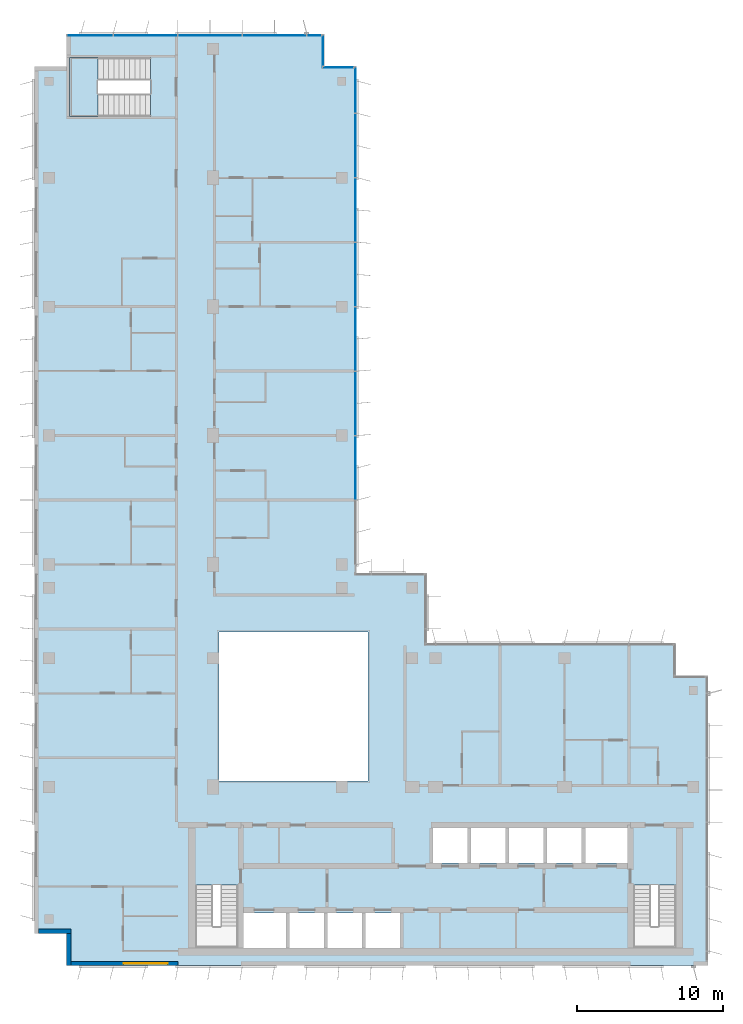
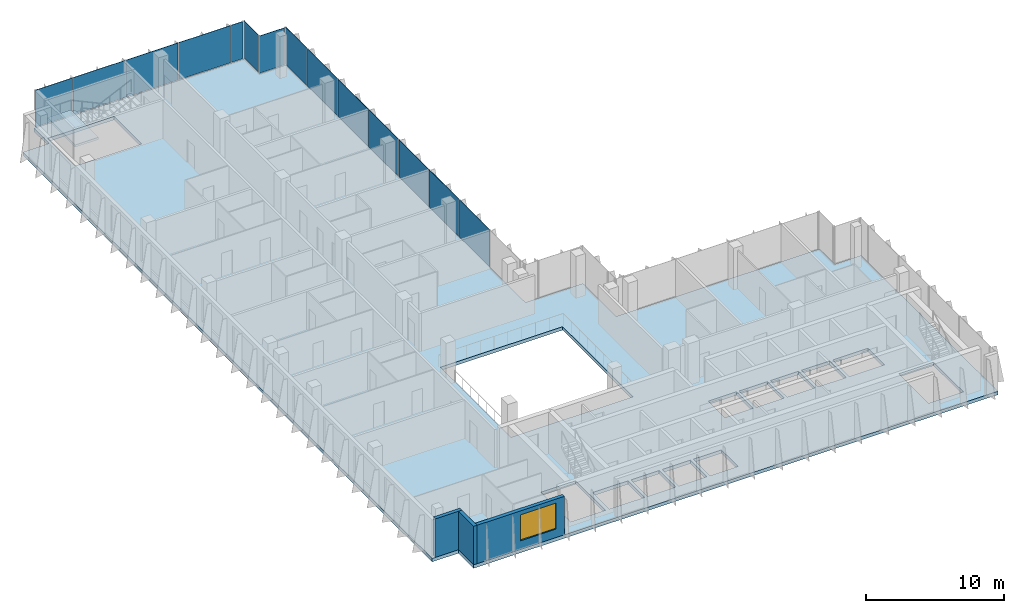
# One storey, part 8 of 16: 14 plates, 3 walls, 2 slabs, 1 window, 1 opening, 5 elements without a shape of their own.
"""IFC4 building model written with IfcOpenShell, lengths in metres."""

from ifc_helpers import new_model, si_unit, direction, frame, frame_2d, origin, origin_2d, place, context, subcontext, project, spatial, polyline, rectangle, outline, extrude, source, transform, mapped, material, layer, layer_set, type_object, element, fill, aggregate, save


model = new_model("IFC4")

# Units and contexts
model_context = context("Model", 3, precision=1e-05, world=origin(), true_north=direction((0.0, 1.0)))
body_context = subcontext(model_context, "Body", "Model", "MODEL_VIEW")
ifc_project = project(units=[si_unit("LENGTHUNIT", "METRE"), si_unit("AREAUNIT", "SQUARE_METRE"), si_unit("VOLUMEUNIT", "CUBIC_METRE"), si_unit("PLANEANGLEUNIT", "RADIAN"), si_unit("MASSUNIT", "GRAM", prefix="KILO")], contexts=[model_context])

# Site, building, storey
site_placement = place(None, origin())
site = spatial("IfcSite", under=ifc_project, at=site_placement, CompositionType="ELEMENT")
building_placement = place(site_placement, origin())
building = spatial("IfcBuilding", under=site, at=building_placement, Name="Kemantara Hotel Tower", CompositionType="ELEMENT")
storey_placement = place(building_placement, frame((0.0, 0.0, 287.0)))
storey = spatial("IfcBuildingStorey", under=building, at=storey_placement, Name="L72", CompositionType="ELEMENT", Elevation=287.0)

# Slab
ifc_material_1 = material(Name="Concrete fc 40 MPa", Category="concrete")
ifc_layer_1 = layer(ifc_material_1, 0.300048828125)
ifc_layer_set_1 = layer_set([ifc_layer_1], Name="Concrete fc 40 MPa")
slab_type_1 = type_object("IfcSlabType", Name="POST-TENSIONED FLAT PLATE 300", PredefinedType="FLOOR", material=ifc_layer_set_1)
slab_1_placement = place(storey_placement, frame((0.0, 0.0, -0.300048828125)))
element("IfcSlab", 1, at=slab_1_placement, inside=storey, type_object=slab_type_1, Name="FLOOR SLAB L72", PredefinedType="FLOOR", context=body_context, shape_type="SweptSolid", body=[
    extrude(outline(polyline([(22.0, 26.800048828125), (22.0, 61.39990234375), (19.800048828125, 61.39990234375), (19.800048828125, 63.60009765625), (2.199951171875, 63.60009765625), (2.199951171875, 61.39990234375), (0.0, 61.39990234375), (0.0, 2.199951171875), (2.199951171875, 2.199951171875), (2.199951171875, 0.0), (46.0, 0.0), (46.0, 19.800048828125), (43.800048828125, 19.800048828125), (43.800048828125, 22.0), (26.800048828125, 22.0), (26.800048828125, 26.800048828125), (22.0, 26.800048828125)]), holes=[polyline([(17.175048828125, 3.60009765625), (17.175048828125, 1.199951171875), (14.22509765625, 1.199951171875), (14.22509765625, 3.60009765625), (17.175048828125, 3.60009765625)]), polyline([(19.77490234375, 1.199951171875), (17.425048828125, 1.199951171875), (17.425048828125, 3.60009765625), (19.77490234375, 3.60009765625), (19.77490234375, 1.199951171875)]), polyline([(22.375, 1.199951171875), (20.02490234375, 1.199951171875), (20.02490234375, 3.60009765625), (22.375, 3.60009765625), (22.375, 1.199951171875)]), polyline([(24.97509765625, 3.60009765625), (24.97509765625, 1.199951171875), (22.625, 1.199951171875), (22.625, 3.60009765625), (24.97509765625, 3.60009765625)]), polyline([(11.0, 1.199951171875), (11.0, 5.49951171875), (13.89990234375, 5.49951171875), (13.89990234375, 1.199951171875), (11.0, 1.199951171875)]), polyline([(22.800048828125, 12.60009765625), (12.60009765625, 12.60009765625), (12.60009765625, 22.800048828125), (22.800048828125, 22.800048828125), (22.800048828125, 12.60009765625)]), polyline([(2.39990234375, 58.0), (2.39990234375, 62.0), (7.949462890625, 62.0), (7.949462890625, 58.0), (2.39990234375, 58.0)]), polyline([(40.89990234375, 1.199951171875), (40.89990234375, 5.49951171875), (43.800048828125, 5.49951171875), (43.800048828125, 1.199951171875), (40.89990234375, 1.199951171875)]), polyline([(29.574951171875, 7.0), (27.22509765625, 7.0), (27.22509765625, 9.39990234375), (29.574951171875, 9.39990234375), (29.574951171875, 7.0)]), polyline([(32.175048828125, 7.0), (29.824951171875, 7.0), (29.824951171875, 9.39990234375), (32.175048828125, 9.39990234375), (32.175048828125, 7.0)]), polyline([(34.77490234375, 7.0), (32.425048828125, 7.0), (32.425048828125, 9.39990234375), (34.77490234375, 9.39990234375), (34.77490234375, 7.0)]), polyline([(37.375, 7.0), (35.02490234375, 7.0), (35.02490234375, 9.39990234375), (37.375, 9.39990234375), (37.375, 7.0)]), polyline([(40.574951171875, 7.0), (37.625, 7.0), (37.625, 9.39990234375), (40.574951171875, 9.39990234375), (40.574951171875, 7.0)])]), origin(), (0.0, 0.0, 1.0), 0.300048828125),
])

# Stair, slab
stair_type = type_object("IfcStairType", Name="Stair 1550 wide 22 risers of 168 x 360 mm", PredefinedType="HALF_TURN_STAIR", material=ifc_material_1)
stair_placement = place(storey_placement, origin())
stair = element("IfcStair", 2, at=stair_placement, inside=storey, type_object=stair_type, Name="L72 Exit stair ST4", PredefinedType="HALF_TURN_STAIR")
ifc_layer_2 = layer(ifc_material_1, 0.199951171875)
ifc_layer_set_2 = layer_set([ifc_layer_2], Name="Concrete fc 40 MPa")
slab_type_2 = type_object("IfcSlabType", Name="Stair landing 200 mm", PredefinedType="LANDING", material=ifc_layer_set_2)
slab_2_placement = place(storey_placement, frame((0.0, 0.0, 1.64990234375)))
slab_2 = element("IfcSlab", 3, at=slab_2_placement, type_object=slab_type_2, Name="ST4 landing 1", PredefinedType="LANDING", context=body_context, shape_type="SweptSolid", body=[
    extrude(outline(polyline([(4.35009765625, 62.0), (2.39990234375, 62.0), (2.39990234375, 58.0), (4.35009765625, 58.0), (4.35009765625, 62.0)])), origin(), (0.0, 0.0, 1.0), 0.2001953125),
])
aggregate(stair, [slab_2])

# Curtain wall, plates
ifc_material_2 = material(Name="Low-E tinted double insulated glass 36 mm", Category="glass")
curtain_wall_type = type_object("IfcCurtainWallType", Name="TOWER CURTAIN WALL, FRONT FACES", PredefinedType="USERDEFINED", material=ifc_material_2)
curtain_wall_1_placement = place(storey_placement, origin())
curtain_wall_1 = element("IfcCurtainWall", 4, at=curtain_wall_1_placement, inside=storey, type_object=curtain_wall_type, Name="CW4 L72 T4-R02-1", ObjectType="TOWER CURTAIN WALL, FRONT FACES", PredefinedType="USERDEFINED")
ifc_layer_3 = layer(ifc_material_2, 0.035888671875)
ifc_layer_set_3 = layer_set([ifc_layer_3], Name="Low-E tinted double insulated glass 36 mm")
plate_type = type_object("IfcPlateType", Name="TOWER CURTAIN WALL, FRONT FACES PANEL", PredefinedType="CURTAIN_PANEL", material=ifc_layer_set_3)
shared_shape_1 = source(origin(), body_context, "Body", "SweptSolid", [
    extrude(rectangle(XDim=4.340087890625, YDim=0.035888671875, at=origin_2d()), origin(), (0.0, 0.0, 1.0), 3.280029296875),
])
plate_1_placement = place(storey_placement, frame((16.39990234375, 63.52490234375, 0.1201171875), z_axis=(0.0, 0.0, 1.0), x_axis=(-1.0, 0.0, 0.0)))
plate_1 = element("IfcPlate", 5, at=plate_1_placement, type_object=plate_type, Name="CW4 glass panel T4-R02-1.2", PredefinedType="CURTAIN_PANEL", context=body_context, shape_type="MappedRepresentation", body=[
    mapped(shared_shape_1, transform((0.0, 0.0, 0.0))),
])
plate_2_placement = place(storey_placement, frame((12.0, 63.52490234375, 0.1201171875), z_axis=(0.0, 0.0, 1.0), x_axis=(-1.0, 0.0, 0.0)))
plate_2 = element("IfcPlate", 6, at=plate_2_placement, type_object=plate_type, Name="CW4 glass panel T4-R02-1.3", PredefinedType="CURTAIN_PANEL", context=body_context, shape_type="MappedRepresentation", body=[
    mapped(shared_shape_1, transform((0.0, 0.0, 0.0))),
])
plate_3_placement = place(storey_placement, frame((7.60009765625, 63.52490234375, 0.1201171875), z_axis=(0.0, 0.0, 1.0), x_axis=(-1.0, 0.0, 0.0)))
plate_3 = element("IfcPlate", 7, at=plate_3_placement, type_object=plate_type, Name="CW4 glass panel T4-R02-1.4", PredefinedType="CURTAIN_PANEL", context=body_context, shape_type="MappedRepresentation", body=[
    mapped(shared_shape_1, transform((0.0, 0.0, 0.0))),
])

curtain_wall_2_placement = place(storey_placement, origin())
curtain_wall_2 = element("IfcCurtainWall", 8, at=curtain_wall_2_placement, inside=storey, type_object=curtain_wall_type, Name="CW4 L72 T4-R15-1", ObjectType="TOWER CURTAIN WALL, FRONT FACES", PredefinedType="USERDEFINED")
plate_4_placement = place(storey_placement, frame((21.925048828125, 34.0, 0.1201171875), z_axis=(0.0, 0.0, 1.0), x_axis=(0.0, 1.0, 0.0)))
plate_4 = element("IfcPlate", 9, at=plate_4_placement, type_object=plate_type, Name="CW4 glass panel T4-R15-1.3", PredefinedType="CURTAIN_PANEL", context=body_context, shape_type="MappedRepresentation", body=[
    mapped(shared_shape_1, transform((0.0, 0.0, 0.0))),
])
plate_5_placement = place(storey_placement, frame((21.925048828125, 38.39990234375, 0.1201171875), z_axis=(0.0, 0.0, 1.0), x_axis=(0.0, 1.0, 0.0)))
plate_5 = element("IfcPlate", 10, at=plate_5_placement, type_object=plate_type, Name="CW4 glass panel T4-R15-1.4", PredefinedType="CURTAIN_PANEL", context=body_context, shape_type="MappedRepresentation", body=[
    mapped(shared_shape_1, transform((0.0, 0.0, 0.0))),
])
plate_6_placement = place(storey_placement, frame((21.925048828125, 42.800048828125, 0.1201171875), z_axis=(0.0, 0.0, 1.0), x_axis=(0.0, 1.0, 0.0)))
plate_6 = element("IfcPlate", 11, at=plate_6_placement, type_object=plate_type, Name="CW4 glass panel T4-R15-1.5", PredefinedType="CURTAIN_PANEL", context=body_context, shape_type="MappedRepresentation", body=[
    mapped(shared_shape_1, transform((0.0, 0.0, 0.0))),
])
plate_7_placement = place(storey_placement, frame((21.925048828125, 47.199951171875, 0.1201171875), z_axis=(0.0, 0.0, 1.0), x_axis=(0.0, 1.0, 0.0)))
plate_7 = element("IfcPlate", 12, at=plate_7_placement, type_object=plate_type, Name="CW4 glass panel T4-R15-1.6", PredefinedType="CURTAIN_PANEL", context=body_context, shape_type="MappedRepresentation", body=[
    mapped(shared_shape_1, transform((0.0, 0.0, 0.0))),
])
plate_8_placement = place(storey_placement, frame((21.925048828125, 51.60009765625, 0.1201171875), z_axis=(0.0, 0.0, 1.0), x_axis=(0.0, 1.0, 0.0)))
plate_8 = element("IfcPlate", 13, at=plate_8_placement, type_object=plate_type, Name="CW4 glass panel T4-R15-1.7", PredefinedType="CURTAIN_PANEL", context=body_context, shape_type="MappedRepresentation", body=[
    mapped(shared_shape_1, transform((0.0, 0.0, 0.0))),
])
plate_9_placement = place(storey_placement, frame((21.925048828125, 56.0, 0.1201171875), z_axis=(0.0, 0.0, 1.0), x_axis=(0.0, 1.0, 0.0)))
plate_9 = element("IfcPlate", 14, at=plate_9_placement, type_object=plate_type, Name="CW4 glass panel T4-R15-1.8", PredefinedType="CURTAIN_PANEL", context=body_context, shape_type="MappedRepresentation", body=[
    mapped(shared_shape_1, transform((0.0, 0.0, 0.0))),
])

# Plate
shared_shape_2 = source(origin(), body_context, "Body", "SweptSolid", [
    extrude(rectangle(XDim=3.110107421875, YDim=0.035888671875, at=origin_2d()), origin(), (0.0, 0.0, 1.0), 3.280029296875),
])
plate_10_placement = place(storey_placement, frame((3.81494140625, 63.52490234375, 0.1201171875), z_axis=(0.0, 0.0, 1.0), x_axis=(-1.0, 0.0, 0.0)))
plate_10 = element("IfcPlate", 15, at=plate_10_placement, type_object=plate_type, Name="CW4 glass panel T4-R02-1.5", PredefinedType="CURTAIN_PANEL", context=body_context, shape_type="MappedRepresentation", body=[
    mapped(shared_shape_2, transform((0.0, 0.0, 0.0))),
])

plate_11_placement = place(storey_placement, frame((21.925048828125, 59.784912109375, 0.1201171875), z_axis=(0.0, 0.0, 1.0), x_axis=(0.0, 1.0, 0.0)))
plate_11 = element("IfcPlate", 16, at=plate_11_placement, type_object=plate_type, Name="CW4 glass panel T4-R15-1.9", PredefinedType="CURTAIN_PANEL", context=body_context, shape_type="MappedRepresentation", body=[
    mapped(shared_shape_2, transform((0.0, 0.0, 0.0))),
])

aggregate(curtain_wall_2, [plate_4, plate_5, plate_6, plate_7, plate_8, plate_9, plate_11])

# Curtain wall, plate
curtain_wall_3_placement = place(storey_placement, origin())
curtain_wall_3 = element("IfcCurtainWall", 17, at=curtain_wall_3_placement, inside=storey, type_object=curtain_wall_type, Name="CW4 L72 T4-R00-1", ObjectType="TOWER CURTAIN WALL, FRONT FACES", PredefinedType="USERDEFINED")
shared_shape_3 = source(origin(), body_context, "Body", "SweptSolid", [
    extrude(rectangle(XDim=2.080078125, YDim=0.035888671875, at=origin_2d()), origin(), (0.0, 0.0, 1.0), 3.280029296875),
])
plate_12_placement = place(storey_placement, frame((20.75, 61.324951171875, 0.1201171875), z_axis=(0.0, 0.0, 1.0), x_axis=(-1.0, 0.0, 0.0)))
plate_12 = element("IfcPlate", 18, at=plate_12_placement, type_object=plate_type, Name="CW4 glass panel T4-R00-1.1", PredefinedType="CURTAIN_PANEL", context=body_context, shape_type="MappedRepresentation", body=[
    mapped(shared_shape_3, transform((0.0, 0.0, 0.0))),
])
aggregate(curtain_wall_3, [plate_12])

curtain_wall_4_placement = place(storey_placement, origin())
curtain_wall_4 = element("IfcCurtainWall", 19, at=curtain_wall_4_placement, inside=storey, type_object=curtain_wall_type, Name="CW4 L72 T4-R01-1", ObjectType="TOWER CURTAIN WALL, FRONT FACES", PredefinedType="USERDEFINED")
plate_13_placement = place(storey_placement, frame((19.72509765625, 62.5, 0.1201171875), z_axis=(0.0, 0.0, 1.0), x_axis=(0.0, 1.0, 0.0)))
plate_13 = element("IfcPlate", 20, at=plate_13_placement, type_object=plate_type, Name="CW4 glass panel T4-R01-1.1", PredefinedType="CURTAIN_PANEL", context=body_context, shape_type="MappedRepresentation", body=[
    mapped(shared_shape_3, transform((0.0, 0.0, 0.0))),
])
aggregate(curtain_wall_4, [plate_13])

# Plate
shared_shape_4 = source(origin(), body_context, "Body", "SweptSolid", [
    extrude(rectangle(XDim=0.9599609375, YDim=0.035888671875, at=origin_2d()), origin(), (0.0, 0.0, 1.0), 3.280029296875),
])
plate_14_placement = place(storey_placement, frame((19.110107421875, 63.52490234375, 0.1201171875), z_axis=(0.0, 0.0, 1.0), x_axis=(-1.0, 0.0, 0.0)))
plate_14 = element("IfcPlate", 21, at=plate_14_placement, type_object=plate_type, Name="CW4 glass panel T4-R02-1.1", PredefinedType="CURTAIN_PANEL", context=body_context, shape_type="MappedRepresentation", body=[
    mapped(shared_shape_4, transform((0.0, 0.0, 0.0))),
])

aggregate(curtain_wall_1, [plate_14, plate_1, plate_2, plate_3, plate_10])

# Walls
ifc_material_3 = material(Name="Bronze anodised aluminium cladding on insulated steel stud wall", Category="steel")
ifc_layer_4 = layer(ifc_material_3, 0.300048828125)
ifc_layer_set_4 = layer_set([ifc_layer_4], Name="Bronze anodised aluminium cladding on insulated steel stud wall")
wall_type = type_object("IfcWallType", Name="BRONZE METAL-CLAD EXTERNAL WALL 300", PredefinedType="STANDARD", material=ifc_layer_set_4)
for number, where, z_axis, x_axis, name in (
    (22, (0.300048828125, 2.35009765625, 0.0), (0.0, 0.0, 1.0), (1.0, 0.0, 0.0), "EXTERNAL WALL L72 T4-R06"),
    (23, (2.35009765625, 2.199951171875, 0.0), (0.0, 0.0, 1.0), (0.0, -1.0, 0.0), "EXTERNAL WALL L72 T4-R07"),
):
    element("IfcWall", number, at=place(storey_placement, frame(where, z_axis=z_axis, x_axis=x_axis)), inside=storey, type_object=wall_type, Name=name, PredefinedType="STANDARD", context=body_context, shape_type="SweptSolid", body=[
        extrude(rectangle(XDim=2.199951171875, YDim=0.300048828125, at=frame_2d((1.10009765625, 0.0))), origin(), (0.0, 0.0, 1.0), 3.39990234375),
    ])

# Wall, opening, window
wall_placement = place(storey_placement, frame((2.5, 0.14990234375, 0.0), z_axis=(0.0, 0.0, 1.0), x_axis=(1.0, 0.0, 0.0)))
wall = element("IfcWall", 24, at=wall_placement, inside=storey, type_object=wall_type, Name="EXTERNAL WALL L72 T4-R08", PredefinedType="STANDARD", context=body_context, shape_type="SweptSolid", body=[
    extrude(rectangle(XDim=7.300048828125, YDim=0.300048828125, at=frame_2d((3.64990234375, 0.0))), origin(), (0.0, 0.0, 1.0), 3.39990234375),
])
opening_placement = place(wall_placement, frame((3.60009765625, 0.0, 0.75)))
opening = element("IfcOpeningElement", 25, at=opening_placement, cuts=wall, Name="Opening W1", PredefinedType="OPENING", context=body_context, shape_type="SweptSolid", body=[
    extrude(rectangle(XDim=3.0, YDim=2.300048828125, at=frame_2d((1.5, 1.14990234375))), frame((0.0, 0.159912109375, 0.0), z_axis=(0.0, -1.0, 0.0), x_axis=(1.0, 0.0, 0.0)), (0.0, 0.0, 1.0), 0.320068359375),
])
ifc_material_4 = material(Name="Low-E tinted double insulated glass in bronze anodised aluminium frame", Category="aluminium")
window_type = type_object("IfcWindowType", Name="CHICAGO WINDOW, TRIPLE PANEL 3000x2300", PartitioningType="TRIPLE_PANEL_VERTICAL", PredefinedType="WINDOW", material=ifc_material_4)
window_placement = place(opening_placement, origin())
window = element("IfcWindow", 26, at=window_placement, inside=storey, type_object=window_type, Name="CHICAGO WINDOW L72 T4-R08-54", OverallHeight=2.300048828125, OverallWidth=3.0, PartitioningType="SINGLE_PANEL", PredefinedType="WINDOW", context=body_context, shape_type="SweptSolid", body=[
    extrude(rectangle(XDim=3.0, YDim=2.300048828125, at=frame_2d((1.5, 1.14990234375))), frame((0.0, 0.030029296875, 0.0), z_axis=(0.0, -1.0, 0.0), x_axis=(1.0, 0.0, 0.0)), (0.0, 0.0, 1.0), 0.06005859375),
])
fill(opening, window)

save(model, "model.ifc")
